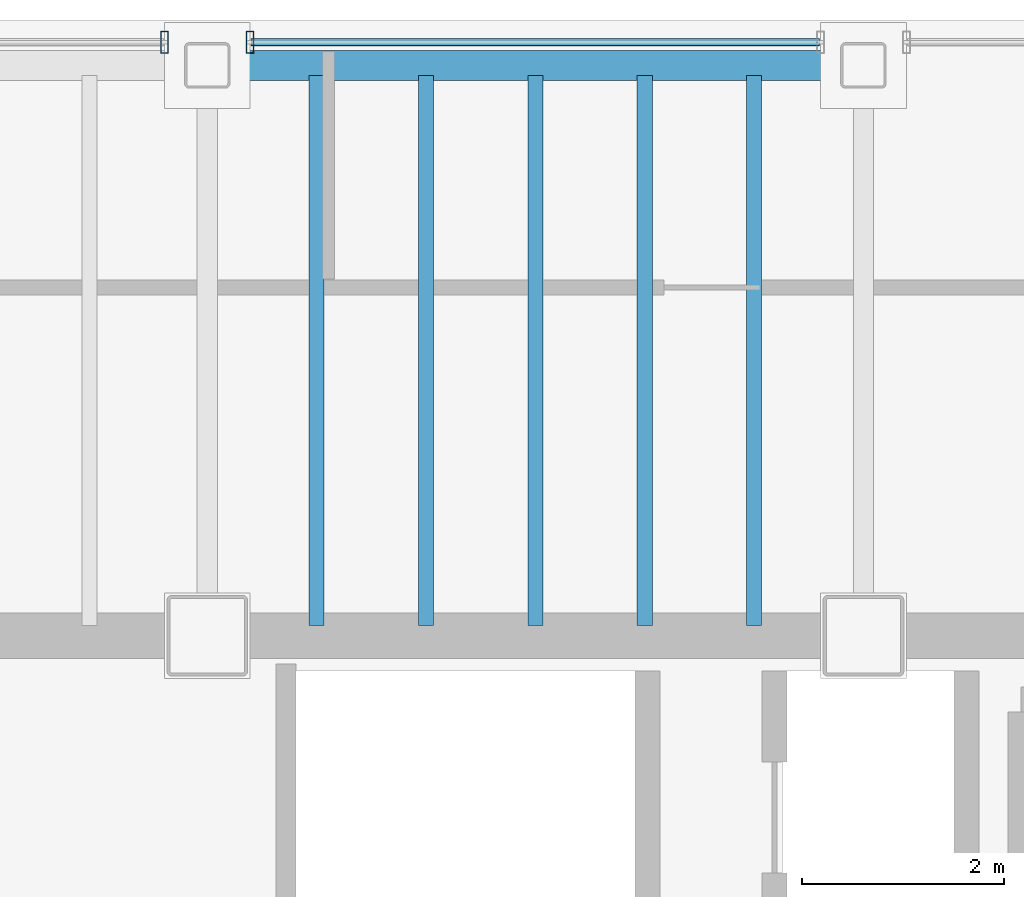
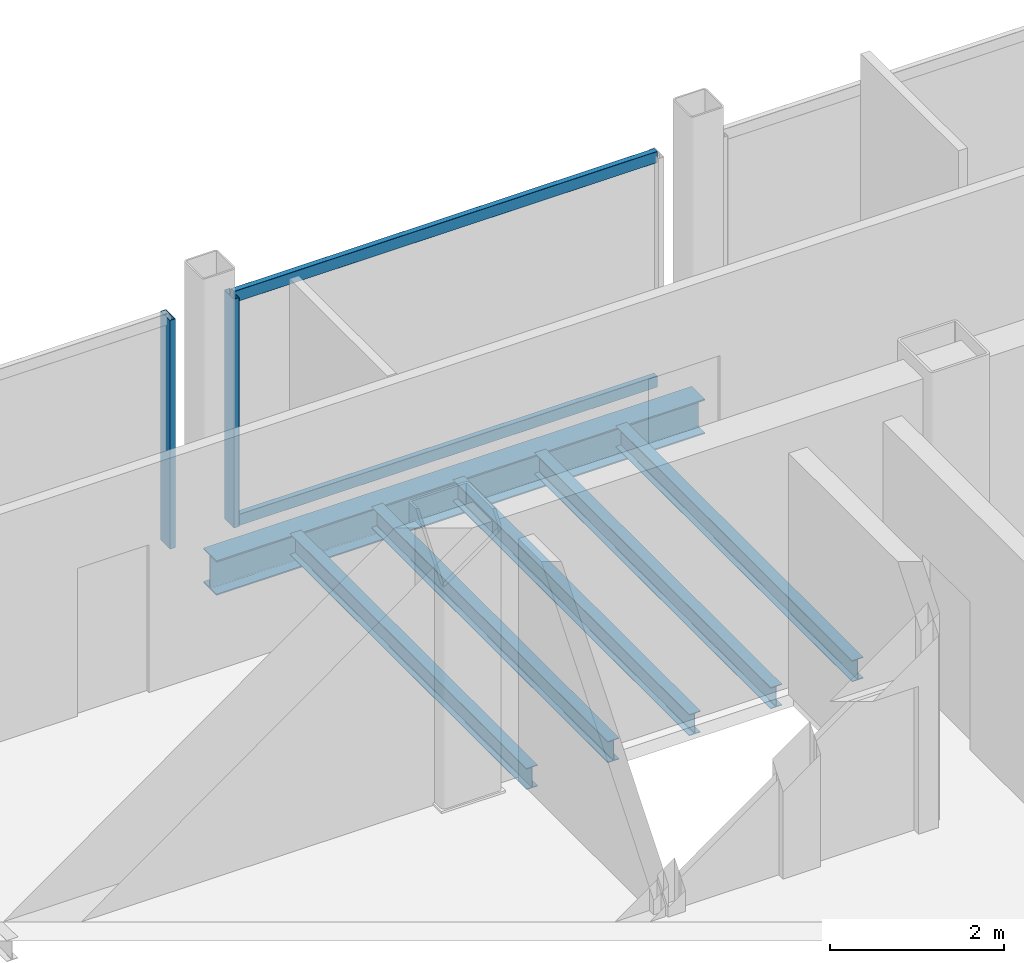
# One storey, part 9 of 16: 6 beams, 4 members, 2 elements without a shape of their own.
"""IFC4 building model written with IfcOpenShell, lengths in metres."""

from ifc_helpers import new_model, si_unit, direction, frame, origin, origin_2d, place, context, subcontext, project, spatial, hollow_rectangle, i_section, extrude, material, material_profile, profile_set, type_object, element, aggregate, save


model = new_model("IFC4")

# Units and contexts
model_context = context("Model", 3, precision=1e-05, world=origin(), true_north=direction((0.0, 1.0)))
body_context = subcontext(model_context, "Body", "Model", "MODEL_VIEW")
ifc_project = project(units=[si_unit("LENGTHUNIT", "METRE"), si_unit("AREAUNIT", "SQUARE_METRE"), si_unit("VOLUMEUNIT", "CUBIC_METRE"), si_unit("PLANEANGLEUNIT", "RADIAN"), si_unit("MASSUNIT", "GRAM", prefix="KILO")], contexts=[model_context])

# Site, building, storey
site_placement = place(None, origin())
site = spatial("IfcSite", under=ifc_project, at=site_placement, CompositionType="ELEMENT")
building_placement = place(site_placement, origin())
building = spatial("IfcBuilding", under=site, at=building_placement, Name="Noeulbin Bourse Tower", CompositionType="ELEMENT")
storey_placement = place(building_placement, frame((0.0, 0.0, 269.60009765625)))
storey = spatial("IfcBuildingStorey", under=building, at=storey_placement, Name="L67", CompositionType="ELEMENT", Elevation=269.60009765625)

# Beams
ifc_material_1 = material(Name="Steel S355", Category="steel")
ifc_material_profile_1 = material_profile(ifc_material_1, i_section(OverallWidth=0.14990234375, OverallDepth=0.300048828125, WebThickness=0.006591796875, FlangeThickness=0.009033203125, FilletRadius=0.012939453125, at=origin_2d()), Name="H-300x150x6.5x9", Category="LoadBearing")
ifc_profile_set_1 = profile_set([ifc_material_profile_1], Name="Steel S355")
beam_type_1 = type_object("IfcBeamType", Name="BM-JST-300", PredefinedType="JOIST", material=ifc_profile_set_1)
for number, where, z_axis, x_axis, name in (
    (1, (32.083251953125, 38.39990234375, -0.330078125), (0.0, 1.0, 0.0), (-1.0, 0.0, 0.0), "Tower Composite Joist L67-28"),
    (2, (33.166748046875, 38.39990234375, -0.330078125), (0.0, 1.0, 0.0), (-1.0, 0.0, 0.0), "Tower Composite Joist L67-30"),
    (3, (34.25, 38.39990234375, -0.330078125), (0.0, 1.0, 0.0), (-1.0, 0.0, 0.0), "Tower Composite Joist L67-32"),
    (4, (35.333251953125, 38.39990234375, -0.330078125), (0.0, 1.0, 0.0), (-1.0, 0.0, 0.0), "Tower Composite Joist L67-34"),
    (5, (36.416748046875, 38.39990234375, -0.330078125), (0.0, 1.0, 0.0), (-1.0, 0.0, 0.0), "Tower Composite Joist L67-36"),
):
    element("IfcBeam", number, at=place(storey_placement, frame(where, z_axis=z_axis, x_axis=x_axis)), inside=storey, type_object=beam_type_1, Name=name, PredefinedType="JOIST", context=body_context, shape_type="SweptSolid", body=[
        extrude(i_section(OverallWidth=0.14990234375, OverallDepth=0.300048828125, WebThickness=0.006591796875, FlangeThickness=0.009033203125, FilletRadius=0.012939453125, at=origin_2d()), origin(), (0.0, 0.0, 1.0), 5.4501953125),
    ])
ifc_material_profile_2 = material_profile(ifc_material_1, i_section(OverallWidth=0.300048828125, OverallDepth=0.488037109375, WebThickness=0.010986328125, FlangeThickness=0.01806640625, FilletRadius=0.02197265625, at=origin_2d()), Name="H-488x300x11x18", Category="LoadBearing")
ifc_profile_set_2 = profile_set([ifc_material_profile_2], Name="Steel S355")
beam_type_2 = type_object("IfcBeamType", Name="BM-SPN-488", PredefinedType="SPANDREL", material=ifc_profile_set_2)
beam_placement = place(storey_placement, frame((31.0, 43.949951171875, -0.424072265625), z_axis=(1.0, 0.0, 0.0), x_axis=(0.0, 1.0, 0.0)))
element("IfcBeam", 6, at=beam_placement, inside=storey, type_object=beam_type_2, Name="North Spandrel L67-3", PredefinedType="SPANDREL", context=body_context, shape_type="SweptSolid", body=[
    extrude(i_section(OverallWidth=0.300048828125, OverallDepth=0.488037109375, WebThickness=0.010986328125, FlangeThickness=0.01806640625, FilletRadius=0.02197265625, at=origin_2d()), origin(), (0.0, 0.0, 1.0), 6.5),
])

# Curtain wall, member
ifc_material_2 = material(Name="High-Selectivity Low-Iron Glazing", Category="glass")
curtain_wall_type = type_object("IfcCurtainWallType", Name="CW-SYS-4", PredefinedType="NOTDEFINED", material=ifc_material_2)
curtain_wall_1_placement = place(storey_placement, origin())
curtain_wall_1 = element("IfcCurtainWall", 7, at=curtain_wall_1_placement, inside=storey, type_object=curtain_wall_type, Name="Unitised Curtain Wall CW-L67-N-S3", PredefinedType="NOTDEFINED")
ifc_material_3 = material(Name="Anodised Aluminium 6063-T6", Category="aluminium")
ifc_material_profile_3 = material_profile(ifc_material_3, hollow_rectangle(XDim=0.074951171875, YDim=0.219970703125, WallThickness=0.0048828125, InnerFilletRadius=0.00244140625, OuterFilletRadius=0.0048828125, at=origin_2d()), Name="ALU-MULL-75x220x5", Category="LoadBearing")
ifc_profile_set_3 = profile_set([ifc_material_profile_3], Name="Anodised Aluminium 6063-T6")
member_type_1 = type_object("IfcMemberType", Name="CW-SYS-4-MUL", PredefinedType="MULLION", material=ifc_profile_set_3)
member_1_placement = place(storey_placement, frame((30.574951171875, 44.179931640625, -0.02001953125), z_axis=(0.0, 0.0, 1.0), x_axis=(1.0, 0.0, 0.0)))
member_1 = element("IfcMember", 8, at=member_1_placement, type_object=member_type_1, Name="Curtain Wall Mullion CW-L67-N-S3-M01", PredefinedType="MULLION", context=body_context, shape_type="SweptSolid", body=[
    extrude(hollow_rectangle(XDim=0.074951171875, YDim=0.219970703125, WallThickness=0.0048828125, InnerFilletRadius=0.00244140625, OuterFilletRadius=0.0048828125, at=origin_2d()), origin(), (0.0, 0.0, 1.0), 3.219970703125),
])
aggregate(curtain_wall_1, [member_1])

# Curtain wall, members
curtain_wall_2_placement = place(storey_placement, origin())
curtain_wall_2 = element("IfcCurtainWall", 9, at=curtain_wall_2_placement, inside=storey, type_object=curtain_wall_type, Name="Unitised Curtain Wall CW-L67-N-S4", PredefinedType="NOTDEFINED")
member_2_placement = place(storey_placement, frame((31.425048828125, 44.179931640625, -0.02001953125), z_axis=(0.0, 0.0, 1.0), x_axis=(1.0, 0.0, 0.0)))
member_2 = element("IfcMember", 10, at=member_2_placement, type_object=member_type_1, Name="Curtain Wall Mullion CW-L67-N-S4-M00", PredefinedType="MULLION", context=body_context, shape_type="SweptSolid", body=[
    extrude(hollow_rectangle(XDim=0.074951171875, YDim=0.219970703125, WallThickness=0.0048828125, InnerFilletRadius=0.00244140625, OuterFilletRadius=0.0048828125, at=origin_2d()), origin(), (0.0, 0.0, 1.0), 3.219970703125),
])
ifc_material_profile_4 = material_profile(ifc_material_3, hollow_rectangle(XDim=0.074951171875, YDim=0.159912109375, WallThickness=0.0048828125, InnerFilletRadius=0.00244140625, OuterFilletRadius=0.0048828125, at=origin_2d()), Name="ALU-TRAN-75x160x5", Category="LoadBearing")
ifc_profile_set_4 = profile_set([ifc_material_profile_4], Name="Anodised Aluminium 6063-T6")
member_type_2 = type_object("IfcMemberType", Name="CW-SYS-4-TRN", PredefinedType="USERDEFINED", material=ifc_profile_set_4)
member_3_placement = place(storey_placement, frame((31.43505859375, 44.179931640625, 0.010009765625), z_axis=(1.0, 0.0, 0.0), x_axis=(0.0, 1.0, 0.0)))
member_3 = element("IfcMember", 11, at=member_3_placement, type_object=member_type_2, Name="Curtain Wall Transom CW-L67-N-S4-T00", ObjectType="TRANSOM", PredefinedType="USERDEFINED", context=body_context, shape_type="SweptSolid", body=[
    extrude(hollow_rectangle(XDim=0.074951171875, YDim=0.159912109375, WallThickness=0.0048828125, InnerFilletRadius=0.00244140625, OuterFilletRadius=0.0048828125, at=origin_2d()), origin(), (0.0, 0.0, 1.0), 5.6298828125),
])
member_4_placement = place(storey_placement, frame((31.43505859375, 44.179931640625, 3.169921875), z_axis=(1.0, 0.0, 0.0), x_axis=(0.0, 1.0, 0.0)))
member_4 = element("IfcMember", 12, at=member_4_placement, type_object=member_type_2, Name="Curtain Wall Transom CW-L67-N-S4-T01", ObjectType="TRANSOM", PredefinedType="USERDEFINED", context=body_context, shape_type="SweptSolid", body=[
    extrude(hollow_rectangle(XDim=0.074951171875, YDim=0.159912109375, WallThickness=0.0048828125, InnerFilletRadius=0.00244140625, OuterFilletRadius=0.0048828125, at=origin_2d()), origin(), (0.0, 0.0, 1.0), 5.6298828125),
])
aggregate(curtain_wall_2, [member_2, member_3, member_4])

save(model, "model.ifc")
